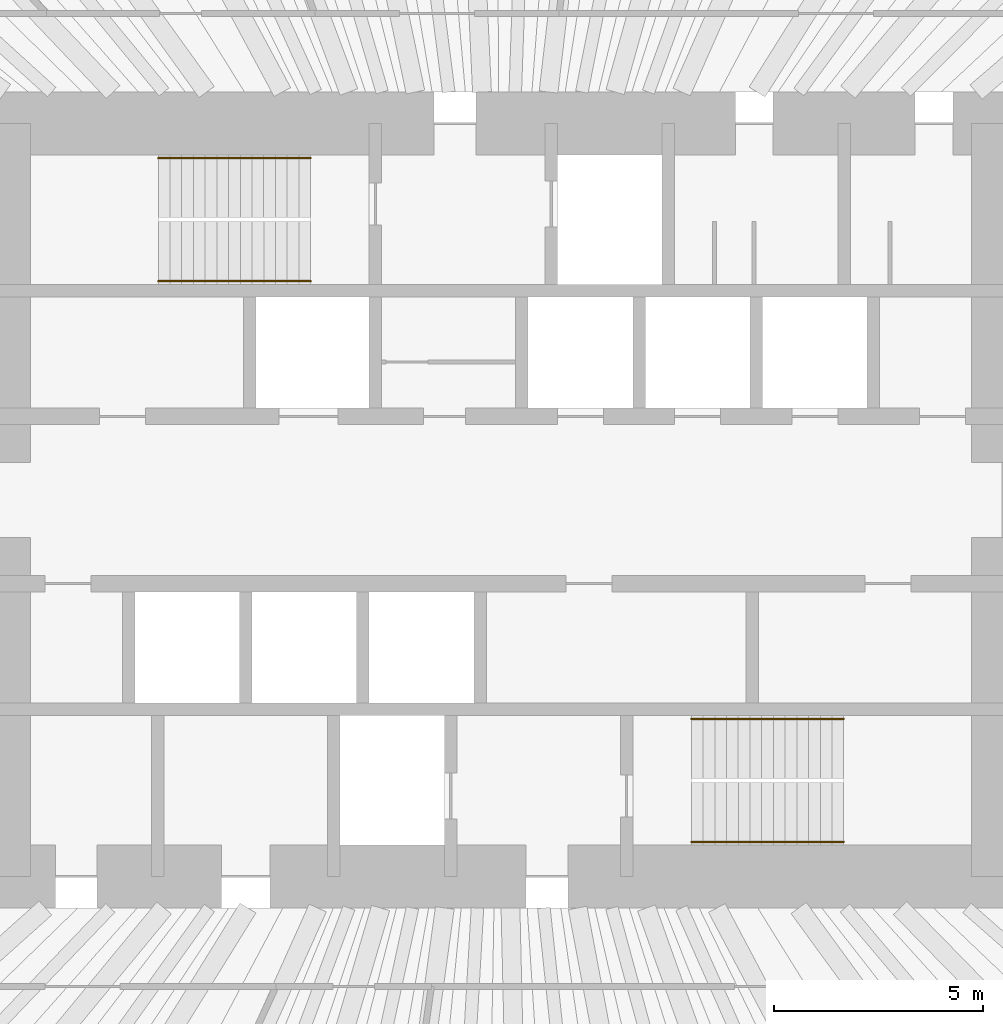
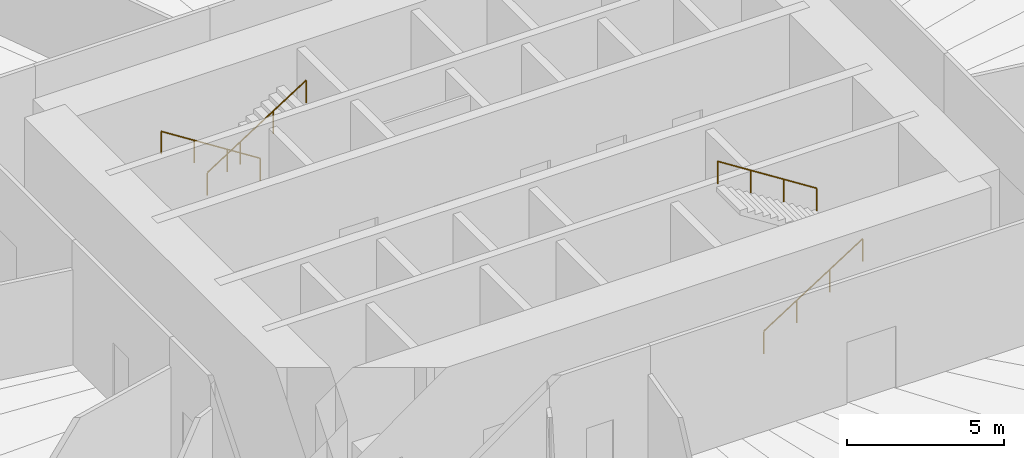
# One storey, part 13 of 13: 4 railings.
"""IFC4 building model written with IfcOpenShell, lengths in metres."""

from ifc_helpers import new_model, si_unit, direction, frame, origin, origin_2d, place, context, subcontext, project, spatial, circle, extrude, material, type_object, element, save


model = new_model("IFC4")

# Units and contexts
model_context = context("Model", 3, precision=1e-05, world=origin(), true_north=direction((0.0, 1.0)))
body_context = subcontext(model_context, "Body", "Model", "MODEL_VIEW")
ifc_project = project(units=[si_unit("LENGTHUNIT", "METRE"), si_unit("AREAUNIT", "SQUARE_METRE"), si_unit("VOLUMEUNIT", "CUBIC_METRE"), si_unit("PLANEANGLEUNIT", "RADIAN"), si_unit("MASSUNIT", "GRAM", prefix="KILO")], contexts=[model_context])

# Site, building, storey
site_placement = place(None, origin())
site = spatial("IfcSite", under=ifc_project, at=site_placement, CompositionType="ELEMENT")
building_placement = place(site_placement, origin())
building = spatial("IfcBuilding", under=site, at=building_placement, Name="Qingtian Harvest Tower", CompositionType="ELEMENT")
storey_placement = place(building_placement, frame((0.0, 0.0, 37.0)))
storey = spatial("IfcBuildingStorey", under=building, at=storey_placement, Name="L07", CompositionType="ELEMENT", Elevation=37.0)

# Railings
ifc_material = material(Name="Stainless steel handrail", Category="steel")
railing_type = type_object("IfcRailingType", Name="Handrail HR1", PredefinedType="HANDRAIL", material=ifc_material)
railing_1_placement = place(storey_placement, frame((-4.550048828125, 8.169921875, 0.178466796875)))
element("IfcRailing", 1, at=railing_1_placement, inside=storey, type_object=railing_type, Name="Handrail HR1 S1 flight 1", PredefinedType="HANDRAIL", context=body_context, shape_type="SweptSolid", body=[
    extrude(circle(Radius=0.02392578125, at=origin_2d()), frame((0.0, 0.0, 0.8759765625), z_axis=(-0.843111507901, 0.0, 0.53773877045), x_axis=(0.0, -1.0, 0.0)), (0.0, 0.0, 1.0), 4.317138671875),
    extrude(circle(Radius=0.02099609375, at=origin_2d()), origin(), (0.0, 0.0, 1.0), 0.851806640625),
    extrude(circle(Radius=0.02099609375, at=origin_2d()), frame((-1.21337890625, 0.0, 0.77392578125)), (0.0, 0.0, 1.0), 0.851806640625),
    extrude(circle(Radius=0.02099609375, at=origin_2d()), frame((-2.426513671875, 0.0, 1.547607421875)), (0.0, 0.0, 1.0), 0.851806640625),
    extrude(circle(Radius=0.02099609375, at=origin_2d()), frame((-3.639892578125, 0.0, 2.321533203125)), (0.0, 0.0, 1.0), 0.851806640625),
])
for number, where, name in (
    (2, (-8.18994140625, 5.22998046875, 2.678466796875), "Handrail HR1 S1 flight 2"),
    (3, (4.550048828125, -8.169921875, 0.178466796875), "Handrail HR1 S2 flight 1"),
):
    element("IfcRailing", number, at=place(storey_placement, frame(where)), inside=storey, type_object=railing_type, Name=name, PredefinedType="HANDRAIL", context=body_context, shape_type="SweptSolid", body=[
        extrude(circle(Radius=0.02392578125, at=origin_2d()), frame((0.0, 0.0, 0.8759765625), z_axis=(0.843111507901, 0.0, 0.53773877045), x_axis=(0.0, 1.0, 0.0)), (0.0, 0.0, 1.0), 4.317138671875),
        extrude(circle(Radius=0.02099609375, at=origin_2d()), origin(), (0.0, 0.0, 1.0), 0.851806640625),
        extrude(circle(Radius=0.02099609375, at=origin_2d()), frame((1.21337890625, 0.0, 0.77392578125)), (0.0, 0.0, 1.0), 0.851806640625),
        extrude(circle(Radius=0.02099609375, at=origin_2d()), frame((2.426513671875, 0.0, 1.547607421875)), (0.0, 0.0, 1.0), 0.851806640625),
        extrude(circle(Radius=0.02099609375, at=origin_2d()), frame((3.639892578125, 0.0, 2.321533203125)), (0.0, 0.0, 1.0), 0.851806640625),
    ])
railing_2_placement = place(storey_placement, frame((8.18994140625, -5.22998046875, 2.678466796875)))
element("IfcRailing", 4, at=railing_2_placement, inside=storey, type_object=railing_type, Name="Handrail HR1 S2 flight 2", PredefinedType="HANDRAIL", context=body_context, shape_type="SweptSolid", body=[
    extrude(circle(Radius=0.02392578125, at=origin_2d()), frame((0.0, 0.0, 0.8759765625), z_axis=(-0.843111507901, 0.0, 0.53773877045), x_axis=(0.0, -1.0, 0.0)), (0.0, 0.0, 1.0), 4.317138671875),
    extrude(circle(Radius=0.02099609375, at=origin_2d()), origin(), (0.0, 0.0, 1.0), 0.851806640625),
    extrude(circle(Radius=0.02099609375, at=origin_2d()), frame((-1.21337890625, 0.0, 0.77392578125)), (0.0, 0.0, 1.0), 0.851806640625),
    extrude(circle(Radius=0.02099609375, at=origin_2d()), frame((-2.426513671875, 0.0, 1.547607421875)), (0.0, 0.0, 1.0), 0.851806640625),
    extrude(circle(Radius=0.02099609375, at=origin_2d()), frame((-3.639892578125, 0.0, 2.321533203125)), (0.0, 0.0, 1.0), 0.851806640625),
])

save(model, "model.ifc")
